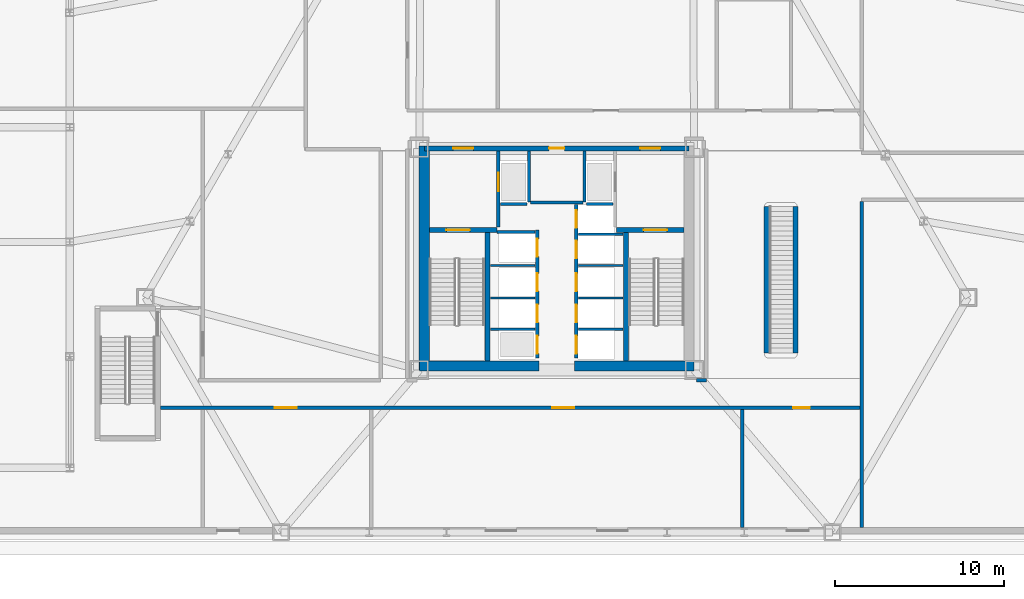
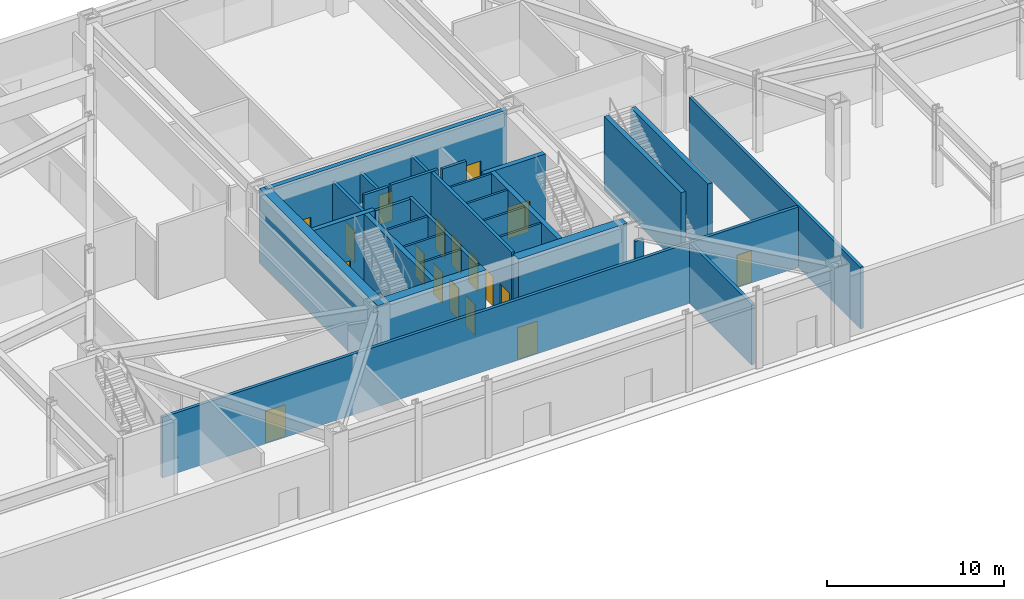
# One storey, part 5 of 12: 30 walls, 18 doors, 18 openings.
"""IFC4 building model written with IfcOpenShell, lengths in metres."""

import ifcopenshell
import ifcopenshell.guid

model = None  # the IFC model being written
_history = None  # IfcOwnerHistory: only IFC2X3 demands one
_inside = {}  # id of a spatial element -> (the spatial element, [elements in it])
_under = {}  # id of a project, library or spatial element -> (it, [spatial elements below it])
_declared = {}  # id of a project -> (the project, [libraries it declares])
_typed = {}  # id of a type object -> (the type object, [elements of that type])
_made_of = {}  # id of a material, layer set ... -> (it, [elements and type objects made of it])


def new_model(schema):
    """Start an empty IFC model of exactly this schema.

    Asked for "IFC4X3", IfcOpenShell would pick the latest addendum, in which some entities
    have other attributes; the version numbers below select the first issue.
    IFC2X3 requires an IfcOwnerHistory on every rooted entity: one is made here for all.
    """
    global model, _history
    if schema == "IFC4X3":
        model = ifcopenshell.file(schema_version=(4, 3, 0, 0))
    else:
        model = ifcopenshell.file(schema=schema)
    _inside.clear()
    _under.clear()
    _declared.clear()
    _typed.clear()
    _made_of.clear()
    _history = None
    if model.schema == "IFC2X3":
        org = make("IfcOrganization", Name="unknown")
        user = make(
            "IfcPersonAndOrganization",
            ThePerson=make("IfcPerson", FamilyName="unknown"),
            TheOrganization=org,
        )
        app = make(
            "IfcApplication",
            ApplicationDeveloper=org,
            Version="unknown",
            ApplicationFullName="unknown",
            ApplicationIdentifier="unknown",
        )
        _history = make(
            "IfcOwnerHistory",
            OwningUser=user,
            OwningApplication=app,
            ChangeAction="ADDED",
            CreationDate=0,
        )
    return model


def make(cls, **values):
    """One entity of the class cls with the attributes given. An attribute that is None is left unset."""
    return model.create_entity(
        cls, **{name: value for name, value in values.items() if value is not None}
    )


def rooted(cls, **values):
    """An entity with a GlobalId (a new one), such as an element, a storey or a relation."""
    return make(cls, GlobalId=ifcopenshell.guid.new(), OwnerHistory=_history, **values)


def si_unit(unit_type, name, prefix=None):
    """IfcSIUnit, for example si_unit("LENGTHUNIT", "METRE", prefix="MILLI")."""
    return make("IfcSIUnit", UnitType=unit_type, Prefix=prefix, Name=name)


def assignment(units):
    """IfcUnitAssignment: the units of a project."""
    return None if units is None else make("IfcUnitAssignment", Units=units)


def point(xyz):
    """IfcCartesianPoint."""
    return None if xyz is None else make("IfcCartesianPoint", Coordinates=xyz)


def direction(xyz):
    """IfcDirection."""
    return None if xyz is None else make("IfcDirection", DirectionRatios=xyz)


def frame(location, z_axis=None, x_axis=None):
    """IfcAxis2Placement3D, a coordinate frame: its origin and axes. An axis left out is left unset."""
    return make(
        "IfcAxis2Placement3D",
        Location=point(location),
        Axis=direction(z_axis),
        RefDirection=direction(x_axis),
    )


def frame_2d(location, x_axis=None):
    """IfcAxis2Placement2D, a coordinate frame in the plane: its origin and x axis."""
    return make(
        "IfcAxis2Placement2D", Location=point(location), RefDirection=direction(x_axis)
    )


def origin():
    """The frame at (0, 0, 0) with its axes left unset."""
    return frame((0.0, 0.0, 0.0))


def place(relative_to, where):
    """IfcLocalPlacement: puts the frame where relative to a parent placement (None: the world)."""
    return make(
        "IfcLocalPlacement", PlacementRelTo=relative_to, RelativePlacement=where
    )


def context(
    kind, dimensions, precision=None, world=None, true_north=None, identifier=None
):
    """IfcGeometricRepresentationContext, for example the 3D "Model" context."""
    return make(
        "IfcGeometricRepresentationContext",
        ContextIdentifier=identifier,
        ContextType=kind,
        CoordinateSpaceDimension=dimensions,
        Precision=precision,
        WorldCoordinateSystem=world,
        TrueNorth=true_north,
    )


def subcontext(parent, identifier, kind, view, scale=None):
    """IfcGeometricRepresentationSubContext, for example "Body" below "Model"."""
    return make(
        "IfcGeometricRepresentationSubContext",
        ContextIdentifier=identifier,
        ContextType=kind,
        ParentContext=parent,
        TargetScale=scale,
        TargetView=view,
    )


def project(units=None, contexts=None):
    """IfcProject with its units and contexts."""
    return rooted(
        "IfcProject",
        Name="project",
        RepresentationContexts=contexts,
        UnitsInContext=assignment(units),
    )


def spatial(cls, under=None, at=None, **own):
    """A site, building, storey or space (cls), placed at a placement, below another one or the project."""
    s = rooted(cls, ObjectPlacement=at, **own)
    if under is not None:
        _under.setdefault(under.id(), (under, []))[1].append(s)
    return s


def profile(cls, at=None, kind="AREA", **sizes):
    """A parametric profile (cls). Its sizes go by their IFC names, for example OverallWidth=200.0."""
    return make(cls, ProfileType=kind, Position=at, **sizes)


def rectangle(**sizes):
    """IfcRectangleProfileDef."""
    return profile("IfcRectangleProfileDef", **sizes)


def extrude(swept, where, along, depth):
    """IfcExtrudedAreaSolid: the profile swept, set in the frame where, extruded along a direction by depth."""
    return make(
        "IfcExtrudedAreaSolid",
        SweptArea=swept,
        Position=where,
        ExtrudedDirection=direction(along),
        Depth=depth,
    )


def shape(context_of_items, identifier, shape_type, items):
    """IfcShapeRepresentation: the items that make up one representation, for example the "Body"."""
    return make(
        "IfcShapeRepresentation",
        ContextOfItems=context_of_items,
        RepresentationIdentifier=identifier,
        RepresentationType=shape_type,
        Items=items,
    )


def material(Name=None, Category=None):
    """IfcMaterial."""
    return make("IfcMaterial", Name=Name, Category=Category)


def layer(
    of_material, thickness, ventilated=None, Name=None, Category=None, Priority=None
):
    """IfcMaterialLayer: one layer of a wall or slab, of a material (None: an air gap)."""
    return make(
        "IfcMaterialLayer",
        Material=of_material,
        LayerThickness=thickness,
        IsVentilated=ventilated,
        Name=Name,
        Category=Category,
        Priority=Priority,
    )


def layer_set(layers, Name=None):
    """IfcMaterialLayerSet."""
    return make("IfcMaterialLayerSet", MaterialLayers=layers, LayerSetName=Name)


def made_of(thing, what):
    """Note that an element or type object is made of a material, layer set ...; save() writes the relation."""
    if what is not None:
        _made_of.setdefault(what.id(), (what, []))[1].append(thing)
    return thing


def type_object(cls, material=None, **own):
    """A type object (cls), such as IfcWallType, which elements share."""
    return made_of(rooted(cls, **own), material)


def element(
    cls,
    number,
    at=None,
    inside=None,
    cuts=None,
    type_object=None,
    material=None,
    context=None,
    identifier="Body",
    shape_type=None,
    held_by="IfcProductDefinitionShape",
    body=None,
    shapes=None,
    **own,
):
    """One element of the class cls, such as IfcWall. Its Tag is "e" and its number.

    at: its placement. inside: the storey or other place that contains it. cuts: it is an
    opening in that element (IfcRelVoidsElement). A single representation is given by context,
    identifier, shape_type and body (its items); several are given by shapes. held_by: the class
    of the entity that holds the representations. save() writes the other relations.
    """
    e = rooted(cls, Tag="e%d" % number, ObjectPlacement=at, **own)
    if body is not None:
        shapes = [shape(context, identifier, shape_type, body)]
    if shapes is not None:
        e.Representation = make(held_by, Representations=shapes)
    if inside is not None:
        _inside.setdefault(inside.id(), (inside, []))[1].append(e)
    if cuts is not None:
        rooted(
            "IfcRelVoidsElement", RelatingBuildingElement=cuts, RelatedOpeningElement=e
        )
    if type_object is not None:
        _typed.setdefault(type_object.id(), (type_object, []))[1].append(e)
    return made_of(e, material)


def fill(opening, filler):
    """IfcRelFillsElement: the door or window that sits in an opening."""
    return rooted(
        "IfcRelFillsElement",
        RelatingOpeningElement=opening,
        RelatedBuildingElement=filler,
    )


def aggregate(whole, parts):
    """IfcRelAggregates: a whole, such as a stair, and the parts it consists of."""
    return rooted("IfcRelAggregates", RelatingObject=whole, RelatedObjects=parts)


def save(model, path):
    """Write the relations noted so far, then the file.

    IfcRelAggregates (storeys below a building ...), IfcRelContainedInSpatialStructure (elements
    in a storey), IfcRelDefinesByType, IfcRelAssociatesMaterial and IfcRelDeclares: one each for
    every whole, place, type object, material and project.
    """
    for whole, parts in _under.values():
        aggregate(whole, parts)
    for where, things in _inside.values():
        rooted(
            "IfcRelContainedInSpatialStructure",
            RelatedElements=things,
            RelatingStructure=where,
        )
    for kind, things in _typed.values():
        rooted("IfcRelDefinesByType", RelatedObjects=things, RelatingType=kind)
    for what, things in _made_of.values():
        rooted("IfcRelAssociatesMaterial", RelatedObjects=things, RelatingMaterial=what)
    for by, libraries in _declared.values():
        rooted("IfcRelDeclares", RelatingContext=by, RelatedDefinitions=libraries)
    model.write(path)


model = new_model("IFC4")

# Units and contexts
model_context = context("Model", 3, precision=1e-05, world=origin(), true_north=direction((0.0, 1.0)))
body_context = subcontext(model_context, "Body", "Model", "MODEL_VIEW")
ifc_project = project(units=[si_unit("LENGTHUNIT", "METRE"), si_unit("AREAUNIT", "SQUARE_METRE"), si_unit("VOLUMEUNIT", "CUBIC_METRE"), si_unit("PLANEANGLEUNIT", "RADIAN"), si_unit("MASSUNIT", "GRAM", prefix="KILO")], contexts=[model_context])

# Site, building, storey
site_placement = place(None, origin())
site = spatial("IfcSite", under=ifc_project, at=site_placement, CompositionType="ELEMENT")
building_placement = place(site_placement, origin())
building = spatial("IfcBuilding", under=site, at=building_placement, Name="Oramaril Tower", CompositionType="ELEMENT")
storey_placement = place(building_placement, origin())
storey = spatial("IfcBuildingStorey", under=building, at=storey_placement, Name="L00", CompositionType="ELEMENT", Elevation=0.0)

# Walls
ifc_material_1 = material(Name="Acoustic Gypsum Board Partition")
ifc_layer_1 = layer(ifc_material_1, 0.139892578125)
ifc_layer_set_1 = layer_set([ifc_layer_1], Name="WT-PT14")
wall_type_1 = type_object("IfcWallType", Name="WT-PT14", PredefinedType="PARTITIONING", material=ifc_layer_set_1)
for number, where, z_axis, x_axis, name in (
    (1, (33.56005859375, 13.419921875, 0.0), (0.0, 0.0, 1.0), (1.0, 0.0, 0.0), "L00 West Lift Divider"),
    (2, (33.56005859375, 15.27001953125, 0.0), (0.0, 0.0, 1.0), (1.0, 0.0, 0.0), "L00 West Lift Divider"),
    (3, (33.56005859375, 17.199951171875, 0.0), (0.0, 0.0, 1.0), (1.0, 0.0, 0.0), "L00 West Lift Divider"),
    (4, (38.780029296875, 13.419921875, 0.0), (0.0, 0.0, 1.0), (1.0, 0.0, 0.0), "L00 East Lift Divider"),
    (5, (38.780029296875, 15.27001953125, 0.0), (0.0, 0.0, 1.0), (1.0, 0.0, 0.0), "L00 East Lift Divider"),
    (6, (38.780029296875, 17.199951171875, 0.0), (0.0, 0.0, 1.0), (1.0, 0.0, 0.0), "L00 East Lift Divider"),
    (7, (38.780029296875, 19.050048828125, 0.0), (0.0, 0.0, 1.0), (1.0, 0.0, 0.0), "L00 East Lift Divider"),
):
    element("IfcWall", number, at=place(storey_placement, frame(where, z_axis=z_axis, x_axis=x_axis)), inside=storey, type_object=wall_type_1, Name=name, PredefinedType="PARTITIONING", context=body_context, shape_type="SweptSolid", body=[
        extrude(rectangle(XDim=2.659912109375, YDim=0.139892578125, at=frame_2d((1.330078125, 0.0))), origin(), (0.0, 0.0, 1.0), 5.1201171875),
    ])
ifc_material_2 = material(Name="Autoclaved Cellular Concrete Block", Category="concrete")
ifc_layer_2 = layer(ifc_material_2, 0.179931640625)
ifc_layer_set_2 = layer_set([ifc_layer_2], Name="WT-PT18")
wall_type_2 = type_object("IfcWallType", Name="WT-PT18", PredefinedType="PARTITIONING", material=ifc_layer_set_2)
wall_1_placement = place(storey_placement, frame((35.840087890625, 20.9599609375, 0.0), z_axis=(0.0, 0.0, 1.0), x_axis=(0.0, 1.0, 0.0)))
element("IfcWall", 8, at=wall_1_placement, inside=storey, type_object=wall_type_2, Name="L00 FL-1 East Shaft Wall", PredefinedType="PARTITIONING", context=body_context, shape_type="SweptSolid", body=[
    extrude(rectangle(XDim=3.02001953125, YDim=0.179931640625, at=frame_2d((1.510009765625, 0.0))), origin(), (0.0, 0.0, 1.0), 4.159912109375),
])
wall_2_placement = place(storey_placement, frame((34.159912109375, 20.860107421875, 0.0), z_axis=(0.0, 0.0, 1.0), x_axis=(1.0, 0.0, 0.0)))
element("IfcWall", 9, at=wall_2_placement, inside=storey, type_object=wall_type_2, Name="L00 FL-1 South Shaft Wall", PredefinedType="PARTITIONING", context=body_context, shape_type="SweptSolid", body=[
    extrude(rectangle(XDim=1.580078125, YDim=0.179931640625, at=frame_2d((0.7900390625, 0.0))), origin(), (0.0, 0.0, 1.0), 5.1201171875),
])
wall_3_placement = place(storey_placement, frame((39.159912109375, 20.9599609375, 0.0), z_axis=(0.0, 0.0, 1.0), x_axis=(0.0, 1.0, 0.0)))
element("IfcWall", 10, at=wall_3_placement, inside=storey, type_object=wall_type_2, Name="L00 FL-2 West Shaft Wall", PredefinedType="PARTITIONING", context=body_context, shape_type="SweptSolid", body=[
    extrude(rectangle(XDim=3.02001953125, YDim=0.179931640625, at=frame_2d((1.510009765625, 0.0))), origin(), (0.0, 0.0, 1.0), 4.159912109375),
])
wall_4_placement = place(storey_placement, frame((39.260009765625, 20.860107421875, 0.0), z_axis=(0.0, 0.0, 1.0), x_axis=(1.0, 0.0, 0.0)))
element("IfcWall", 11, at=wall_4_placement, inside=storey, type_object=wall_type_2, Name="L00 FL-2 South Shaft Wall", PredefinedType="PARTITIONING", context=body_context, shape_type="SweptSolid", body=[
    extrude(rectangle(XDim=1.580078125, YDim=0.179931640625, at=frame_2d((0.7900390625, 0.0))), origin(), (0.0, 0.0, 1.0), 5.1201171875),
])
wall_5_placement = place(storey_placement, frame((33.949951171875, 19.199951171875, 0.0), z_axis=(0.0, 0.0, 1.0), x_axis=(1.0, 0.0, 0.0)))
element("IfcWall", 12, at=wall_5_placement, inside=storey, type_object=wall_type_2, Name="L00 High-Rise Lift H1 North Shaft Wall", PredefinedType="PARTITIONING", context=body_context, shape_type="SweptSolid", body=[
    extrude(rectangle(XDim=2.27001953125, YDim=0.179931640625, at=frame_2d((1.135009765625, 0.0))), origin(), (0.0, 0.0, 1.0), 5.1201171875),
])
wall_6_placement = place(storey_placement, frame((35.949951171875, 20.949951171875, 0.0), z_axis=(0.0, 0.0, 1.0), x_axis=(1.0, 0.0, 0.0)))
element("IfcWall", 13, at=wall_6_placement, inside=storey, type_object=wall_type_2, Name="L00 Lift Lobby North Partition", PredefinedType="PARTITIONING", context=body_context, shape_type="SweptSolid", body=[
    extrude(rectangle(XDim=3.10009765625, YDim=0.179931640625, at=frame_2d((1.550048828125, 0.0))), origin(), (0.0, 0.0, 1.0), 5.1201171875),
])

# Wall, openings, doors
ifc_material_3 = material(Name="Autoclaved Cellular Concrete Block", Category="concrete")
ifc_layer_3 = layer(ifc_material_3, 0.199951171875)
ifc_layer_set_3 = layer_set([ifc_layer_3], Name="WT-PT20")
wall_type_3 = type_object("IfcWallType", Name="WT-PT20", PredefinedType="PARTITIONING", material=ifc_layer_set_3)
wall_7_placement = place(storey_placement, frame((13.989990234375, 8.75, 0.0), z_axis=(0.0, 0.0, 1.0), x_axis=(1.0, 0.0, 0.0)))
wall_7 = element("IfcWall", 14, at=wall_7_placement, inside=storey, type_object=wall_type_3, Name="L00 Interior Partition PT-20", PredefinedType="PARTITIONING", context=body_context, shape_type="SweptSolid", body=[
    extrude(rectangle(XDim=41.610107421875, YDim=0.199951171875, at=frame_2d((20.80517578125, 0.0))), origin(), (0.0, 0.0, 1.0), 4.18310546875),
])
opening_1_placement = place(wall_7_placement, frame((6.78515625, 0.0, 0.0)))
opening_1 = element("IfcOpeningElement", 15, at=opening_1_placement, cuts=wall_7, Name="Opening D-L00-01", PredefinedType="OPENING", context=body_context, shape_type="SweptSolid", body=[
    extrude(rectangle(XDim=1.300048828125, YDim=2.199951171875, at=frame_2d((0.64990234375, 1.10009765625))), frame((0.0, 0.10009765625, 0.0), z_axis=(0.0, -1.0, 0.0), x_axis=(1.0, 0.0, 0.0)), (0.0, 0.0, 1.0), 0.199951171875),
])
opening_2_placement = place(wall_7_placement, frame((23.234619140625, 0.0, 0.0)))
opening_2 = element("IfcOpeningElement", 16, at=opening_2_placement, cuts=wall_7, Name="Opening D-L00-02", PredefinedType="OPENING", context=body_context, shape_type="SweptSolid", body=[
    extrude(rectangle(XDim=1.300048828125, YDim=2.199951171875, at=frame_2d((0.64990234375, 1.10009765625))), frame((0.0, 0.10009765625, 0.0), z_axis=(0.0, -1.0, 0.0), x_axis=(1.0, 0.0, 0.0)), (0.0, 0.0, 1.0), 0.199951171875),
])
opening_3_placement = place(wall_7_placement, frame((37.533935546875, 0.0, 0.0)))
opening_3 = element("IfcOpeningElement", 17, at=opening_3_placement, cuts=wall_7, Name="Opening D-L00-03", PredefinedType="OPENING", context=body_context, shape_type="SweptSolid", body=[
    extrude(rectangle(XDim=1.0, YDim=2.179931640625, at=frame_2d((0.5, 1.08984375))), frame((0.0, 0.10009765625, 0.0), z_axis=(0.0, -1.0, 0.0), x_axis=(1.0, 0.0, 0.0)), (0.0, 0.0, 1.0), 0.199951171875),
])
ifc_material_4 = material(Name="FSC Brazilian Freijo Hardwood", Category="wood")
door_type_1 = type_object("IfcDoorType", Name="DT-APT", OperationType="NOTDEFINED", PredefinedType="DOOR", material=ifc_material_4)
door_1_placement = place(opening_3_placement, origin())
door_1 = element("IfcDoor", 18, at=door_1_placement, inside=storey, type_object=door_type_1, Name="L00 L00 Fire Command Centre Door D-L00-03", OperationType="SINGLE_SWING_RIGHT", OverallHeight=2.179931640625, OverallWidth=1.0, PredefinedType="DOOR", context=body_context, shape_type="SweptSolid", body=[
    extrude(rectangle(XDim=1.0, YDim=2.179931640625, at=frame_2d((0.5, 1.08984375))), frame((0.0, 0.02490234375, 0.0), z_axis=(0.0, -1.0, 0.0), x_axis=(1.0, 0.0, 0.0)), (0.0, 0.0, 1.0), 0.050048828125),
])
fill(opening_3, door_1)
ifc_material_5 = material(Name="FSC Brazilian Freijo Hardwood", Category="wood")
door_type_2 = type_object("IfcDoorType", Name="DT-COM", OperationType="NOTDEFINED", PredefinedType="DOOR", material=ifc_material_5)
door_2_placement = place(opening_1_placement, origin())
door_2 = element("IfcDoor", 19, at=door_2_placement, inside=storey, type_object=door_type_2, Name="L00 L00 Coastal Cafe and Bistro Door D-L00-01", OperationType="SINGLE_SWING_RIGHT", OverallHeight=2.199951171875, OverallWidth=1.300048828125, PredefinedType="DOOR", context=body_context, shape_type="SweptSolid", body=[
    extrude(rectangle(XDim=1.300048828125, YDim=2.199951171875, at=frame_2d((0.64990234375, 1.10009765625))), frame((0.0, 0.02490234375, 0.0), z_axis=(0.0, -1.0, 0.0), x_axis=(1.0, 0.0, 0.0)), (0.0, 0.0, 1.0), 0.050048828125),
])
fill(opening_1, door_2)
door_3_placement = place(opening_2_placement, origin())
door_3 = element("IfcDoor", 20, at=door_3_placement, inside=storey, type_object=door_type_2, Name="L00 L00 Grand Entrance Hall Door D-L00-02", OperationType="SINGLE_SWING_LEFT", OverallHeight=2.199951171875, OverallWidth=1.300048828125, PredefinedType="DOOR", context=body_context, shape_type="SweptSolid", body=[
    extrude(rectangle(XDim=1.300048828125, YDim=2.199951171875, at=frame_2d((0.64990234375, 1.10009765625))), frame((0.0, 0.02490234375, 0.0), z_axis=(0.0, -1.0, 0.0), x_axis=(1.0, 0.0, 0.0)), (0.0, 0.0, 1.0), 0.050048828125),
])
fill(opening_2, door_3)

# Walls
wall_8_placement = place(storey_placement, frame((45.800048828125, 10.39990234375, 0.0), z_axis=(0.0, 0.0, 1.0), x_axis=(1.0, 0.0, 0.0)))
element("IfcWall", 21, at=wall_8_placement, inside=storey, type_object=wall_type_3, Name="L00 Interior Partition PT-20", PredefinedType="PARTITIONING", context=body_context, shape_type="SweptSolid", body=[
    extrude(rectangle(XDim=0.579833984375, YDim=0.199951171875, at=frame_2d((0.2900390625, 0.0))), origin(), (0.0, 0.0, 1.0), 4.18310546875),
])
wall_9_placement = place(storey_placement, frame((48.5, 1.64404296875, 0.0), z_axis=(0.0, 0.0, 1.0), x_axis=(0.0, 1.0, 0.0)))
element("IfcWall", 22, at=wall_9_placement, inside=storey, type_object=wall_type_3, Name="L00 Interior Partition PT-20", PredefinedType="PARTITIONING", context=body_context, shape_type="SweptSolid", body=[
    extrude(rectangle(XDim=7.001953125, YDim=0.199951171875, at=frame_2d((3.5009765625, 0.0))), origin(), (0.0, 0.0, 1.0), 4.18310546875),
])
wall_10_placement = place(storey_placement, frame((55.60009765625, 1.64404296875, 0.0), z_axis=(0.0, 0.0, 1.0), x_axis=(0.0, 1.0, 0.0)))
element("IfcWall", 23, at=wall_10_placement, inside=storey, type_object=wall_type_3, Name="L00 Interior Partition PT-20", PredefinedType="PARTITIONING", context=body_context, shape_type="SweptSolid", body=[
    extrude(rectangle(XDim=19.35205078125, YDim=0.199951171875, at=frame_2d((9.676025390625, 0.0))), origin(), (0.0, 0.0, 1.0), 4.25390625),
])

# Wall, openings, doors
ifc_material_6 = material(Name="Concrete C50/60", Category="concrete")
ifc_layer_4 = layer(ifc_material_6, 0.300048828125)
ifc_layer_set_4 = layer_set([ifc_layer_4], Name="WT-SH30")
wall_type_4 = type_object("IfcWallType", Name="WT-SH30", PredefinedType="SHEAR", material=ifc_layer_set_4)
wall_11_placement = place(storey_placement, frame((29.64990234375, 24.14990234375, 0.0), z_axis=(0.0, 0.0, 1.0), x_axis=(1.0, 0.0, 0.0)))
wall_11 = element("IfcWall", 24, at=wall_11_placement, inside=storey, type_object=wall_type_4, Name="L00 Core Shear Wall CW-N", PredefinedType="SHEAR", context=body_context, shape_type="SweptSolid", body=[
    extrude(rectangle(XDim=15.7001953125, YDim=0.300048828125, at=frame_2d((7.85009765625, 0.0))), origin(), (0.0, 0.0, 1.0), 5.1201171875),
])
opening_4_placement = place(wall_11_placement, frame((1.699951171875, 0.0, 0.0)))
opening_4 = element("IfcOpeningElement", 25, at=opening_4_placement, cuts=wall_11, Name="Opening D-L00-FFL1", PredefinedType="OPENING", context=body_context, shape_type="SweptSolid", body=[
    extrude(rectangle(XDim=1.199951171875, YDim=2.199951171875, at=frame_2d((0.60009765625, 1.10009765625))), frame((0.0, 0.14990234375, 0.0), z_axis=(0.0, -1.0, 0.0), x_axis=(1.0, 0.0, 0.0)), (0.0, 0.0, 1.0), 0.300048828125),
])
opening_5_placement = place(wall_11_placement, frame((12.800048828125, 0.0, 0.0)))
opening_5 = element("IfcOpeningElement", 26, at=opening_5_placement, cuts=wall_11, Name="Opening D-L00-FFL2", PredefinedType="OPENING", context=body_context, shape_type="SweptSolid", body=[
    extrude(rectangle(XDim=1.199951171875, YDim=2.199951171875, at=frame_2d((0.60009765625, 1.10009765625))), frame((0.0, 0.14990234375, 0.0), z_axis=(0.0, -1.0, 0.0), x_axis=(1.0, 0.0, 0.0)), (0.0, 0.0, 1.0), 0.300048828125),
])
opening_6_placement = place(wall_11_placement, frame((7.39990234375, 0.0, 0.0)))
opening_6 = element("IfcOpeningElement", 27, at=opening_6_placement, cuts=wall_11, Name="Opening D-L00-SV1", PredefinedType="OPENING", context=body_context, shape_type="SweptSolid", body=[
    extrude(rectangle(XDim=0.89990234375, YDim=2.050048828125, at=frame_2d((0.449951171875, 1.02490234375))), frame((0.0, 0.14990234375, 0.0), z_axis=(0.0, -1.0, 0.0), x_axis=(1.0, 0.0, 0.0)), (0.0, 0.0, 1.0), 0.300048828125),
])
ifc_material_7 = material(Name="Painted Galvanised Steel", Category="steel")
door_type_3 = type_object("IfcDoorType", Name="DT-FFL", OperationType="NOTDEFINED", PredefinedType="DOOR", material=ifc_material_7)
door_4_placement = place(opening_4_placement, origin())
door_4 = element("IfcDoor", 28, at=door_4_placement, inside=storey, type_object=door_type_3, Name="L00 Firefighting Lobby 1 Fire Door", OperationType="SINGLE_SWING_LEFT", OverallHeight=2.199951171875, OverallWidth=1.199951171875, PredefinedType="DOOR", context=body_context, shape_type="SweptSolid", body=[
    extrude(rectangle(XDim=1.199951171875, YDim=2.199951171875, at=frame_2d((0.60009765625, 1.10009765625))), frame((0.0, 0.02490234375, 0.0), z_axis=(0.0, -1.0, 0.0), x_axis=(1.0, 0.0, 0.0)), (0.0, 0.0, 1.0), 0.050048828125),
])
fill(opening_4, door_4)
door_5_placement = place(opening_5_placement, origin())
door_5 = element("IfcDoor", 29, at=door_5_placement, inside=storey, type_object=door_type_3, Name="L00 Firefighting Lobby 2 Fire Door", OperationType="SINGLE_SWING_RIGHT", OverallHeight=2.199951171875, OverallWidth=1.199951171875, PredefinedType="DOOR", context=body_context, shape_type="SweptSolid", body=[
    extrude(rectangle(XDim=1.199951171875, YDim=2.199951171875, at=frame_2d((0.60009765625, 1.10009765625))), frame((0.0, 0.02490234375, 0.0), z_axis=(0.0, -1.0, 0.0), x_axis=(1.0, 0.0, 0.0)), (0.0, 0.0, 1.0), 0.050048828125),
])
fill(opening_5, door_5)
ifc_material_8 = material(Name="Painted Galvanised Steel", Category="steel")
door_type_4 = type_object("IfcDoorType", Name="DT-SVC", OperationType="NOTDEFINED", PredefinedType="DOOR", material=ifc_material_8)
door_6_placement = place(opening_6_placement, origin())
door_6 = element("IfcDoor", 30, at=door_6_placement, inside=storey, type_object=door_type_4, Name="L00 Core Janitor Store Door", OperationType="SINGLE_SWING_LEFT", OverallHeight=2.050048828125, OverallWidth=0.89990234375, PredefinedType="DOOR", context=body_context, shape_type="SweptSolid", body=[
    extrude(rectangle(XDim=0.89990234375, YDim=2.050048828125, at=frame_2d((0.449951171875, 1.02490234375))), frame((0.0, 0.02490234375, 0.0), z_axis=(0.0, -1.0, 0.0), x_axis=(1.0, 0.0, 0.0)), (0.0, 0.0, 1.0), 0.050048828125),
])
fill(opening_6, door_6)

# Wall, opening, door
wall_12_placement = place(storey_placement, frame((29.93994140625, 19.31005859375, 0.0), z_axis=(0.0, 0.0, 1.0), x_axis=(1.0, 0.0, 0.0)))
wall_12 = element("IfcWall", 31, at=wall_12_placement, inside=storey, type_object=wall_type_4, Name="L00 Core Shear Wall CW-ST1N", PredefinedType="SHEAR", context=body_context, shape_type="SweptSolid", body=[
    extrude(rectangle(XDim=4.010009765625, YDim=0.300048828125, at=frame_2d((2.0048828125, 0.0))), origin(), (0.0, 0.0, 1.0), 5.1201171875),
])
opening_7_placement = place(wall_12_placement, frame((1.010009765625, 0.0, 0.0)))
opening_7 = element("IfcOpeningElement", 32, at=opening_7_placement, cuts=wall_12, Name="Opening D-L00-ST1", PredefinedType="OPENING", context=body_context, shape_type="SweptSolid", body=[
    extrude(rectangle(XDim=1.39990234375, YDim=2.199951171875, at=frame_2d((0.699951171875, 1.10009765625))), frame((0.0, 0.14990234375, 0.0), z_axis=(0.0, -1.0, 0.0), x_axis=(1.0, 0.0, 0.0)), (0.0, 0.0, 1.0), 0.300048828125),
])
ifc_material_9 = material(Name="Painted Galvanised Steel", Category="steel")
door_type_5 = type_object("IfcDoorType", Name="DT-ST", OperationType="NOTDEFINED", PredefinedType="DOOR", material=ifc_material_9)
door_7_placement = place(opening_7_placement, origin())
door_7 = element("IfcDoor", 33, at=door_7_placement, inside=storey, type_object=door_type_5, Name="L00 Protected Stair ST-1 Fire Door", OperationType="SINGLE_SWING_LEFT", OverallHeight=2.199951171875, OverallWidth=1.39990234375, PredefinedType="DOOR", context=body_context, shape_type="SweptSolid", body=[
    extrude(rectangle(XDim=1.39990234375, YDim=2.199951171875, at=frame_2d((0.699951171875, 1.10009765625))), frame((0.0, 0.02490234375, 0.0), z_axis=(0.0, -1.0, 0.0), x_axis=(1.0, 0.0, 0.0)), (0.0, 0.0, 1.0), 0.050048828125),
])
fill(opening_7, door_7)

wall_13_placement = place(storey_placement, frame((41.050048828125, 19.31005859375, 0.0), z_axis=(0.0, 0.0, 1.0), x_axis=(1.0, 0.0, 0.0)))
wall_13 = element("IfcWall", 34, at=wall_13_placement, inside=storey, type_object=wall_type_4, Name="L00 Core Shear Wall CW-ST2N", PredefinedType="SHEAR", context=body_context, shape_type="SweptSolid", body=[
    extrude(rectangle(XDim=4.010009765625, YDim=0.300048828125, at=frame_2d((2.0048828125, 0.0))), origin(), (0.0, 0.0, 1.0), 5.1201171875),
])
opening_8_placement = place(wall_13_placement, frame((1.60009765625, 0.0, 0.0)))
opening_8 = element("IfcOpeningElement", 35, at=opening_8_placement, cuts=wall_13, Name="Opening D-L00-ST2", PredefinedType="OPENING", context=body_context, shape_type="SweptSolid", body=[
    extrude(rectangle(XDim=1.39990234375, YDim=2.199951171875, at=frame_2d((0.699951171875, 1.10009765625))), frame((0.0, 0.14990234375, 0.0), z_axis=(0.0, -1.0, 0.0), x_axis=(1.0, 0.0, 0.0)), (0.0, 0.0, 1.0), 0.300048828125),
])
door_8_placement = place(opening_8_placement, origin())
door_8 = element("IfcDoor", 36, at=door_8_placement, inside=storey, type_object=door_type_5, Name="L00 Protected Stair ST-2 Fire Door", OperationType="SINGLE_SWING_RIGHT", OverallHeight=2.199951171875, OverallWidth=1.39990234375, PredefinedType="DOOR", context=body_context, shape_type="SweptSolid", body=[
    extrude(rectangle(XDim=1.39990234375, YDim=2.199951171875, at=frame_2d((0.699951171875, 1.10009765625))), frame((0.0, 0.02490234375, 0.0), z_axis=(0.0, -1.0, 0.0), x_axis=(1.0, 0.0, 0.0)), (0.0, 0.0, 1.0), 0.050048828125),
])
fill(opening_8, door_8)

# Walls
for number, where, z_axis, x_axis, name in (
    (37, (33.3798828125, 11.5400390625, 0.0), (0.0, 0.0, 1.0), (0.0, 1.0, 0.0), "L00 Core Shear Wall CW-ST1E"),
    (38, (41.6201171875, 11.5400390625, 0.0), (0.0, 0.0, 1.0), (0.0, 1.0, 0.0), "L00 Core Shear Wall CW-ST2W"),
):
    element("IfcWall", number, at=place(storey_placement, frame(where, z_axis=z_axis, x_axis=x_axis)), inside=storey, type_object=wall_type_4, Name=name, PredefinedType="SHEAR", context=body_context, shape_type="SweptSolid", body=[
        extrude(rectangle(XDim=7.619873046875, YDim=0.300048828125, at=frame_2d((3.81005859375, 0.0))), origin(), (0.0, 0.0, 1.0), 5.1201171875),
    ])
for number, where, z_axis, x_axis, name in (
    (39, (49.93505859375, 12.0, 0.0), (0.0, 0.0, 1.0), (0.0, 1.0, 0.0), "L00 Feature Stair ST-4A Support Wall L"),
    (40, (51.6650390625, 12.0, 0.0), (0.0, 0.0, 1.0), (0.0, 1.0, 0.0), "L00 Feature Stair ST-4A Support Wall R"),
):
    element("IfcWall", number, at=place(storey_placement, frame(where, z_axis=z_axis, x_axis=x_axis)), inside=storey, type_object=wall_type_4, Name=name, PredefinedType="SHEAR", context=body_context, shape_type="SweptSolid", body=[
        extrude(rectangle(XDim=8.699951171875, YDim=0.300048828125, at=frame_2d((4.35009765625, 0.0))), origin(), (0.0, 0.0, 1.0), 5.1201171875),
    ])
ifc_material_10 = material(Name="Concrete C50/60", Category="concrete")
ifc_layer_5 = layer(ifc_material_10, 0.60009765625)
ifc_layer_set_5 = layer_set([ifc_layer_5], Name="WT-SH60")
wall_type_5 = type_object("IfcWallType", Name="WT-SH60", PredefinedType="SHEAR", material=ifc_layer_set_5)
wall_14_placement = place(storey_placement, frame((29.639892578125, 11.0, 0.0), z_axis=(0.0, 0.0, 1.0), x_axis=(0.0, 1.0, 0.0)))
element("IfcWall", 41, at=wall_14_placement, inside=storey, type_object=wall_type_5, Name="L00 Core Shear Wall CW-W", PredefinedType="SHEAR", context=body_context, shape_type="SweptSolid", body=[
    extrude(rectangle(XDim=13.300048828125, YDim=0.60009765625, at=frame_2d((6.64990234375, 0.0))), origin(), (0.0, 0.0, 1.0), 5.1201171875),
])
for number, where, z_axis, x_axis, name in (
    (42, (29.35009765625, 11.239990234375, 0.0), (0.0, 0.0, 1.0), (1.0, 0.0, 0.0), "L00 Core Shear Wall CW-SW"),
    (43, (38.550048828125, 11.239990234375, 0.0), (0.0, 0.0, 1.0), (1.0, 0.0, 0.0), "L00 Core Shear Wall CW-SE"),
):
    element("IfcWall", number, at=place(storey_placement, frame(where, z_axis=z_axis, x_axis=x_axis)), inside=storey, type_object=wall_type_5, Name=name, PredefinedType="SHEAR", context=body_context, shape_type="SweptSolid", body=[
        extrude(rectangle(XDim=7.099853515625, YDim=0.60009765625, at=frame_2d((3.5498046875, 0.0))), origin(), (0.0, 0.0, 1.0), 5.1201171875),
    ])

# Wall, opening, door
ifc_material_11 = material(Name="Autoclaved Cellular Concrete Block", Category="concrete")
ifc_layer_6 = layer(ifc_material_11, 0.199951171875)
ifc_layer_set_6 = layer_set([ifc_layer_6], Name="WT-SHF20")
wall_type_6 = type_object("IfcWallType", Name="WT-SHF20", PredefinedType="PARTITIONING", material=ifc_layer_set_6)
wall_15_placement = place(storey_placement, frame((34.0400390625, 19.47998046875, 0.0), z_axis=(0.0, 0.0, 1.0), x_axis=(0.0, 1.0, 0.0)))
wall_15 = element("IfcWall", 44, at=wall_15_placement, inside=storey, type_object=wall_type_6, Name="L00 FL-1 Lobby Shaft Wall", PredefinedType="PARTITIONING", context=body_context, shape_type="SweptSolid", body=[
    extrude(rectangle(XDim=4.5, YDim=0.199951171875, at=frame_2d((2.25, 0.0))), origin(), (0.0, 0.0, 1.0), 4.159912109375),
])
opening_9_placement = place(wall_15_placement, frame((2.1201171875, 0.0, 0.0)))
opening_9 = element("IfcOpeningElement", 45, at=opening_9_placement, cuts=wall_15, Name="Opening LD-L00-FL-1", PredefinedType="OPENING", context=body_context, shape_type="SweptSolid", body=[
    extrude(rectangle(XDim=1.10009765625, YDim=2.199951171875, at=frame_2d((0.550048828125, 1.10009765625))), frame((0.0, 0.10009765625, 0.0), z_axis=(0.0, -1.0, 0.0), x_axis=(1.0, 0.0, 0.0)), (0.0, 0.0, 1.0), 0.199951171875),
])
ifc_material_12 = material(Name="Stainless Steel 316L", Category="steel")
door_type_6 = type_object("IfcDoorType", Name="DT-LD1", OperationType="NOTDEFINED", PredefinedType="DOOR", material=ifc_material_12)
door_9_placement = place(opening_9_placement, origin())
door_9 = element("IfcDoor", 46, at=door_9_placement, inside=storey, type_object=door_type_6, Name="L00 Lift FL-1 Sliding Landing Door", OperationType="SLIDING_TO_LEFT", OverallHeight=2.199951171875, OverallWidth=1.10009765625, PredefinedType="DOOR", context=body_context, shape_type="SweptSolid", body=[
    extrude(rectangle(XDim=1.10009765625, YDim=2.199951171875, at=frame_2d((0.550048828125, 1.10009765625))), frame((0.0, 0.02490234375, 0.0), z_axis=(0.0, -1.0, 0.0), x_axis=(1.0, 0.0, 0.0)), (0.0, 0.0, 1.0), 0.050048828125),
])
fill(opening_9, door_9)

# Wall, openings, doors
wall_16_placement = place(storey_placement, frame((36.340087890625, 11.719970703125, 0.0), z_axis=(0.0, 0.0, 1.0), x_axis=(0.0, 1.0, 0.0)))
wall_16 = element("IfcWall", 47, at=wall_16_placement, inside=storey, type_object=wall_type_6, Name="L00 West Lift Bank Front Wall", PredefinedType="PARTITIONING", context=body_context, shape_type="SweptSolid", body=[
    extrude(rectangle(XDim=7.60009765625, YDim=0.199951171875, at=frame_2d((3.800048828125, 0.0))), origin(), (0.0, 0.0, 1.0), 5.1201171875),
])
opening_10_placement = place(wall_16_placement, frame((0.2548828125, 0.0, 0.0)))
opening_10 = element("IfcOpeningElement", 48, at=opening_10_placement, cuts=wall_16, Name="Opening LD-L00-LP-L1", PredefinedType="OPENING", context=body_context, shape_type="SweptSolid", body=[
    extrude(rectangle(XDim=1.050048828125, YDim=2.14990234375, at=frame_2d((0.52490234375, 1.074951171875))), frame((0.0, 0.10009765625, 0.0), z_axis=(0.0, -1.0, 0.0), x_axis=(1.0, 0.0, 0.0)), (0.0, 0.0, 1.0), 0.199951171875),
])
opening_11_placement = place(wall_16_placement, frame((2.10498046875, 0.0, 0.0)))
opening_11 = element("IfcOpeningElement", 49, at=opening_11_placement, cuts=wall_16, Name="Opening LD-L00-LP-L2", PredefinedType="OPENING", context=body_context, shape_type="SweptSolid", body=[
    extrude(rectangle(XDim=1.050048828125, YDim=2.14990234375, at=frame_2d((0.52490234375, 1.074951171875))), frame((0.0, 0.10009765625, 0.0), z_axis=(0.0, -1.0, 0.0), x_axis=(1.0, 0.0, 0.0)), (0.0, 0.0, 1.0), 0.199951171875),
])
opening_12_placement = place(wall_16_placement, frame((3.955078125, 0.0, 0.0)))
opening_12 = element("IfcOpeningElement", 50, at=opening_12_placement, cuts=wall_16, Name="Opening LD-L00-LP-L3", PredefinedType="OPENING", context=body_context, shape_type="SweptSolid", body=[
    extrude(rectangle(XDim=1.050048828125, YDim=2.14990234375, at=frame_2d((0.52490234375, 1.074951171875))), frame((0.0, 0.10009765625, 0.0), z_axis=(0.0, -1.0, 0.0), x_axis=(1.0, 0.0, 0.0)), (0.0, 0.0, 1.0), 0.199951171875),
])
opening_13_placement = place(wall_16_placement, frame((6.0048828125, 0.0, 0.0)))
opening_13 = element("IfcOpeningElement", 51, at=opening_13_placement, cuts=wall_16, Name="Opening LD-L00-LP-H1", PredefinedType="OPENING", context=body_context, shape_type="SweptSolid", body=[
    extrude(rectangle(XDim=1.050048828125, YDim=2.14990234375, at=frame_2d((0.52490234375, 1.074951171875))), frame((0.0, 0.10009765625, 0.0), z_axis=(0.0, -1.0, 0.0), x_axis=(1.0, 0.0, 0.0)), (0.0, 0.0, 1.0), 0.199951171875),
])
ifc_material_13 = material(Name="Stainless Steel 316L", Category="steel")
door_type_7 = type_object("IfcDoorType", Name="DT-LD2", OperationType="NOTDEFINED", PredefinedType="DOOR", material=ifc_material_13)
door_10_placement = place(opening_10_placement, origin())
door_10 = element("IfcDoor", 52, at=door_10_placement, inside=storey, type_object=door_type_7, Name="L00 Lift LP-L1 Sliding Landing Door", OperationType="SLIDING_TO_LEFT", OverallHeight=2.14990234375, OverallWidth=1.050048828125, PredefinedType="DOOR", context=body_context, shape_type="SweptSolid", body=[
    extrude(rectangle(XDim=1.050048828125, YDim=2.14990234375, at=frame_2d((0.52490234375, 1.074951171875))), frame((0.0, 0.02490234375, 0.0), z_axis=(0.0, -1.0, 0.0), x_axis=(1.0, 0.0, 0.0)), (0.0, 0.0, 1.0), 0.050048828125),
])
fill(opening_10, door_10)
door_11_placement = place(opening_11_placement, origin())
door_11 = element("IfcDoor", 53, at=door_11_placement, inside=storey, type_object=door_type_7, Name="L00 Lift LP-L2 Sliding Landing Door", OperationType="SLIDING_TO_RIGHT", OverallHeight=2.14990234375, OverallWidth=1.050048828125, PredefinedType="DOOR", context=body_context, shape_type="SweptSolid", body=[
    extrude(rectangle(XDim=1.050048828125, YDim=2.14990234375, at=frame_2d((0.52490234375, 1.074951171875))), frame((0.0, 0.02490234375, 0.0), z_axis=(0.0, -1.0, 0.0), x_axis=(1.0, 0.0, 0.0)), (0.0, 0.0, 1.0), 0.050048828125),
])
fill(opening_11, door_11)
door_12_placement = place(opening_12_placement, origin())
door_12 = element("IfcDoor", 54, at=door_12_placement, inside=storey, type_object=door_type_7, Name="L00 Lift LP-L3 Sliding Landing Door", OperationType="SLIDING_TO_LEFT", OverallHeight=2.14990234375, OverallWidth=1.050048828125, PredefinedType="DOOR", context=body_context, shape_type="SweptSolid", body=[
    extrude(rectangle(XDim=1.050048828125, YDim=2.14990234375, at=frame_2d((0.52490234375, 1.074951171875))), frame((0.0, 0.02490234375, 0.0), z_axis=(0.0, -1.0, 0.0), x_axis=(1.0, 0.0, 0.0)), (0.0, 0.0, 1.0), 0.050048828125),
])
fill(opening_12, door_12)
door_13_placement = place(opening_13_placement, origin())
door_13 = element("IfcDoor", 55, at=door_13_placement, inside=storey, type_object=door_type_7, Name="L00 Lift LP-H1 Sliding Landing Door", OperationType="SLIDING_TO_LEFT", OverallHeight=2.14990234375, OverallWidth=1.050048828125, PredefinedType="DOOR", context=body_context, shape_type="SweptSolid", body=[
    extrude(rectangle(XDim=1.050048828125, YDim=2.14990234375, at=frame_2d((0.52490234375, 1.074951171875))), frame((0.0, 0.02490234375, 0.0), z_axis=(0.0, -1.0, 0.0), x_axis=(1.0, 0.0, 0.0)), (0.0, 0.0, 1.0), 0.050048828125),
])
fill(opening_13, door_13)

wall_17_placement = place(storey_placement, frame((38.659912109375, 11.719970703125, 0.0), z_axis=(0.0, 0.0, 1.0), x_axis=(0.0, 1.0, 0.0)))
wall_17 = element("IfcWall", 56, at=wall_17_placement, inside=storey, type_object=wall_type_6, Name="L00 East Lift Bank Front Wall", PredefinedType="PARTITIONING", context=body_context, shape_type="SweptSolid", body=[
    extrude(rectangle(XDim=9.10009765625, YDim=0.199951171875, at=frame_2d((4.550048828125, 0.0))), origin(), (0.0, 0.0, 1.0), 5.1201171875),
])
opening_14_placement = place(wall_17_placement, frame((0.2548828125, 0.0, 0.0)))
opening_14 = element("IfcOpeningElement", 57, at=opening_14_placement, cuts=wall_17, Name="Opening LD-L00-LP-M1", PredefinedType="OPENING", context=body_context, shape_type="SweptSolid", body=[
    extrude(rectangle(XDim=1.050048828125, YDim=2.14990234375, at=frame_2d((0.52490234375, 1.074951171875))), frame((0.0, 0.10009765625, 0.0), z_axis=(0.0, -1.0, 0.0), x_axis=(1.0, 0.0, 0.0)), (0.0, 0.0, 1.0), 0.199951171875),
])
opening_15_placement = place(wall_17_placement, frame((2.10498046875, 0.0, 0.0)))
opening_15 = element("IfcOpeningElement", 58, at=opening_15_placement, cuts=wall_17, Name="Opening LD-L00-LP-M2", PredefinedType="OPENING", context=body_context, shape_type="SweptSolid", body=[
    extrude(rectangle(XDim=1.050048828125, YDim=2.14990234375, at=frame_2d((0.52490234375, 1.074951171875))), frame((0.0, 0.10009765625, 0.0), z_axis=(0.0, -1.0, 0.0), x_axis=(1.0, 0.0, 0.0)), (0.0, 0.0, 1.0), 0.199951171875),
])
opening_16_placement = place(wall_17_placement, frame((3.955078125, 0.0, 0.0)))
opening_16 = element("IfcOpeningElement", 59, at=opening_16_placement, cuts=wall_17, Name="Opening LD-L00-LP-M3", PredefinedType="OPENING", context=body_context, shape_type="SweptSolid", body=[
    extrude(rectangle(XDim=1.050048828125, YDim=2.14990234375, at=frame_2d((0.52490234375, 1.074951171875))), frame((0.0, 0.10009765625, 0.0), z_axis=(0.0, -1.0, 0.0), x_axis=(1.0, 0.0, 0.0)), (0.0, 0.0, 1.0), 0.199951171875),
])
opening_17_placement = place(wall_17_placement, frame((5.905029296875, 0.0, 0.0)))
opening_17 = element("IfcOpeningElement", 60, at=opening_17_placement, cuts=wall_17, Name="Opening LD-L00-LP-H2", PredefinedType="OPENING", context=body_context, shape_type="SweptSolid", body=[
    extrude(rectangle(XDim=1.050048828125, YDim=2.14990234375, at=frame_2d((0.52490234375, 1.074951171875))), frame((0.0, 0.10009765625, 0.0), z_axis=(0.0, -1.0, 0.0), x_axis=(1.0, 0.0, 0.0)), (0.0, 0.0, 1.0), 0.199951171875),
])
opening_18_placement = place(wall_17_placement, frame((7.705078125, 0.0, 0.0)))
opening_18 = element("IfcOpeningElement", 61, at=opening_18_placement, cuts=wall_17, Name="Opening LD-L00-LP-H3", PredefinedType="OPENING", context=body_context, shape_type="SweptSolid", body=[
    extrude(rectangle(XDim=1.050048828125, YDim=2.14990234375, at=frame_2d((0.52490234375, 1.074951171875))), frame((0.0, 0.10009765625, 0.0), z_axis=(0.0, -1.0, 0.0), x_axis=(1.0, 0.0, 0.0)), (0.0, 0.0, 1.0), 0.199951171875),
])
door_14_placement = place(opening_14_placement, origin())
door_14 = element("IfcDoor", 62, at=door_14_placement, inside=storey, type_object=door_type_7, Name="L00 Lift LP-M1 Sliding Landing Door", OperationType="SLIDING_TO_RIGHT", OverallHeight=2.14990234375, OverallWidth=1.050048828125, PredefinedType="DOOR", context=body_context, shape_type="SweptSolid", body=[
    extrude(rectangle(XDim=1.050048828125, YDim=2.14990234375, at=frame_2d((0.52490234375, 1.074951171875))), frame((0.0, 0.02490234375, 0.0), z_axis=(0.0, -1.0, 0.0), x_axis=(1.0, 0.0, 0.0)), (0.0, 0.0, 1.0), 0.050048828125),
])
fill(opening_14, door_14)
door_15_placement = place(opening_15_placement, origin())
door_15 = element("IfcDoor", 63, at=door_15_placement, inside=storey, type_object=door_type_7, Name="L00 Lift LP-M2 Sliding Landing Door", OperationType="SLIDING_TO_LEFT", OverallHeight=2.14990234375, OverallWidth=1.050048828125, PredefinedType="DOOR", context=body_context, shape_type="SweptSolid", body=[
    extrude(rectangle(XDim=1.050048828125, YDim=2.14990234375, at=frame_2d((0.52490234375, 1.074951171875))), frame((0.0, 0.02490234375, 0.0), z_axis=(0.0, -1.0, 0.0), x_axis=(1.0, 0.0, 0.0)), (0.0, 0.0, 1.0), 0.050048828125),
])
fill(opening_15, door_15)
door_16_placement = place(opening_16_placement, origin())
door_16 = element("IfcDoor", 64, at=door_16_placement, inside=storey, type_object=door_type_7, Name="L00 Lift LP-M3 Sliding Landing Door", OperationType="SLIDING_TO_RIGHT", OverallHeight=2.14990234375, OverallWidth=1.050048828125, PredefinedType="DOOR", context=body_context, shape_type="SweptSolid", body=[
    extrude(rectangle(XDim=1.050048828125, YDim=2.14990234375, at=frame_2d((0.52490234375, 1.074951171875))), frame((0.0, 0.02490234375, 0.0), z_axis=(0.0, -1.0, 0.0), x_axis=(1.0, 0.0, 0.0)), (0.0, 0.0, 1.0), 0.050048828125),
])
fill(opening_16, door_16)
door_17_placement = place(opening_17_placement, origin())
door_17 = element("IfcDoor", 65, at=door_17_placement, inside=storey, type_object=door_type_7, Name="L00 Lift LP-H2 Sliding Landing Door", OperationType="SLIDING_TO_RIGHT", OverallHeight=2.14990234375, OverallWidth=1.050048828125, PredefinedType="DOOR", context=body_context, shape_type="SweptSolid", body=[
    extrude(rectangle(XDim=1.050048828125, YDim=2.14990234375, at=frame_2d((0.52490234375, 1.074951171875))), frame((0.0, 0.02490234375, 0.0), z_axis=(0.0, -1.0, 0.0), x_axis=(1.0, 0.0, 0.0)), (0.0, 0.0, 1.0), 0.050048828125),
])
fill(opening_17, door_17)
door_18_placement = place(opening_18_placement, origin())
door_18 = element("IfcDoor", 66, at=door_18_placement, inside=storey, type_object=door_type_7, Name="L00 Lift LP-H3 Sliding Landing Door", OperationType="SLIDING_TO_LEFT", OverallHeight=2.14990234375, OverallWidth=1.050048828125, PredefinedType="DOOR", context=body_context, shape_type="SweptSolid", body=[
    extrude(rectangle(XDim=1.050048828125, YDim=2.14990234375, at=frame_2d((0.52490234375, 1.074951171875))), frame((0.0, 0.02490234375, 0.0), z_axis=(0.0, -1.0, 0.0), x_axis=(1.0, 0.0, 0.0)), (0.0, 0.0, 1.0), 0.050048828125),
])
fill(opening_18, door_18)

save(model, "model.ifc")
